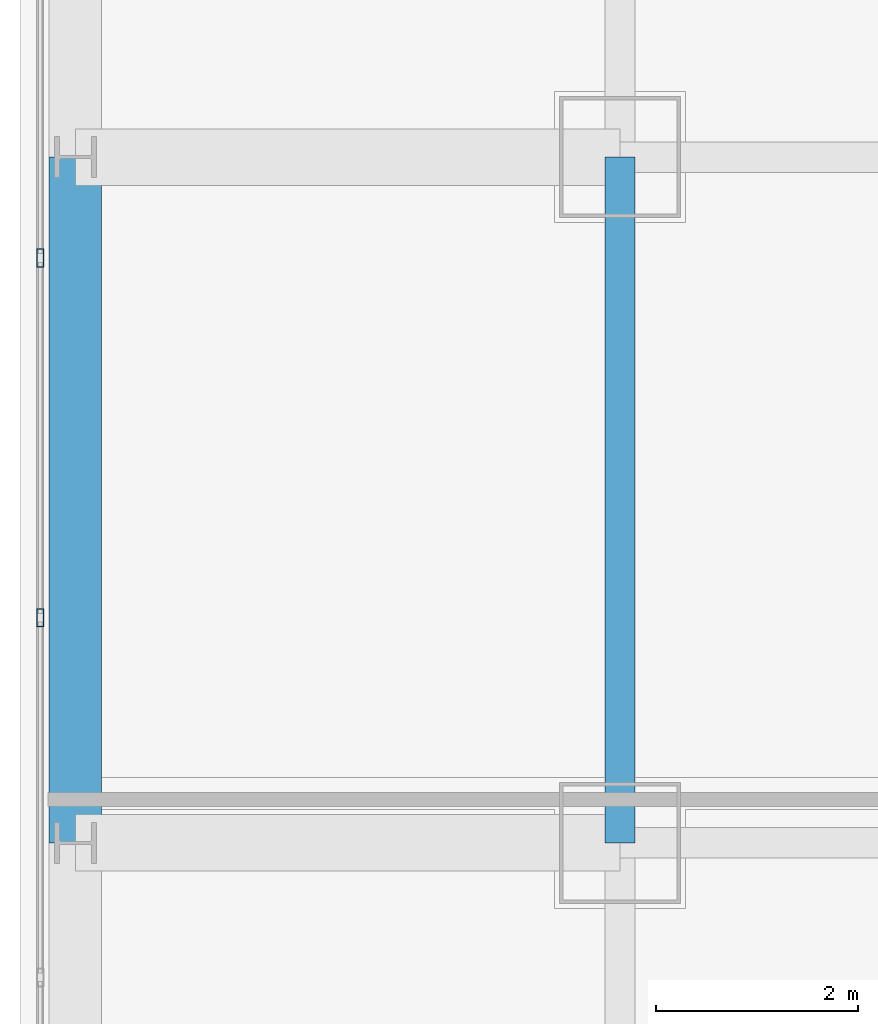
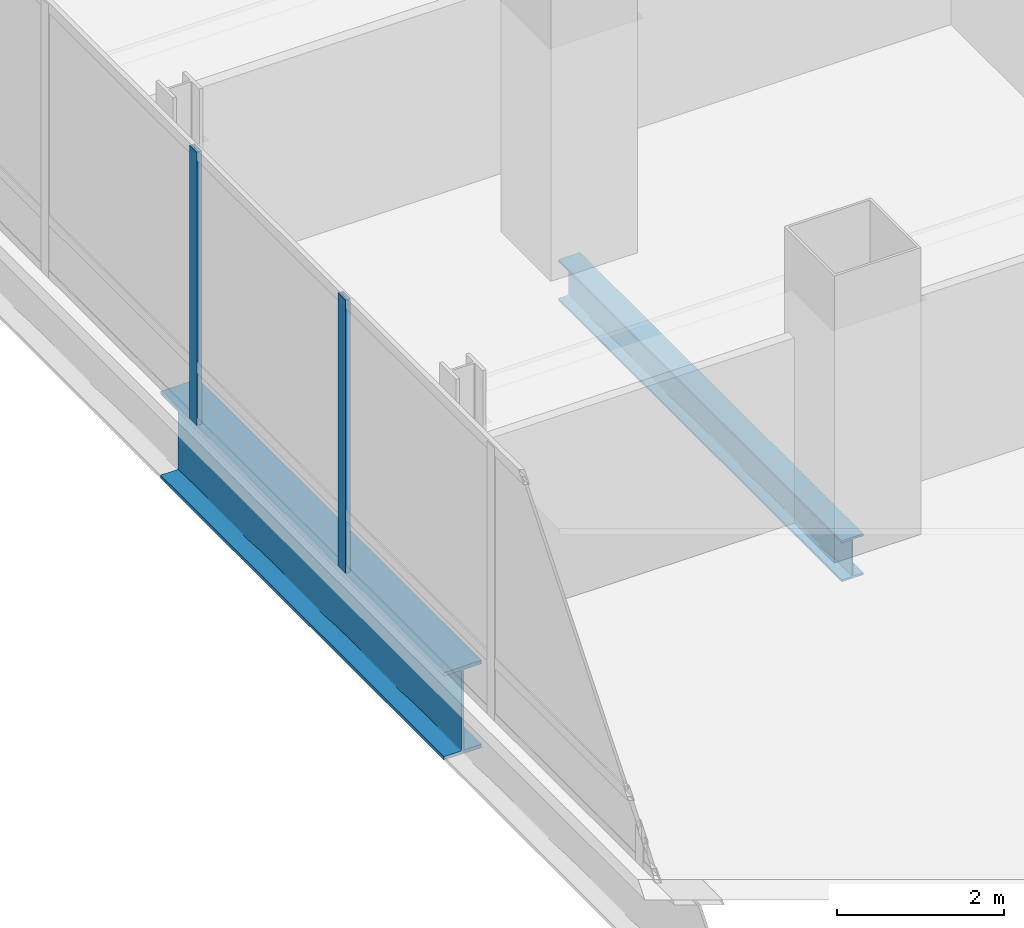
# One storey, part 11 of 41: 2 beams, 2 members, 1 element without a shape of its own.
"""IFC4 building model written with IfcOpenShell, lengths in metres."""

from ifc_helpers import new_model, si_unit, direction, frame, origin, origin_2d, place, context, subcontext, project, spatial, hollow_rectangle, i_section, extrude, material, material_profile, profile_set, type_object, element, aggregate, save


model = new_model("IFC4")

# Units and contexts
model_context = context("Model", 3, precision=1e-05, world=origin(), true_north=direction((0.0, 1.0)))
body_context = subcontext(model_context, "Body", "Model", "MODEL_VIEW")
ifc_project = project(units=[si_unit("LENGTHUNIT", "METRE"), si_unit("AREAUNIT", "SQUARE_METRE"), si_unit("VOLUMEUNIT", "CUBIC_METRE"), si_unit("PLANEANGLEUNIT", "RADIAN"), si_unit("MASSUNIT", "GRAM", prefix="KILO")], contexts=[model_context])

# Site, building, storey
site_placement = place(None, origin())
site = spatial("IfcSite", under=ifc_project, at=site_placement, CompositionType="ELEMENT")
building_placement = place(site_placement, origin())
building = spatial("IfcBuilding", under=site, at=building_placement, Name="Punatoya Terracotta Tower", CompositionType="ELEMENT")
storey_placement = place(building_placement, frame((0.0, 0.0, 292.199951171875)))
storey = spatial("IfcBuildingStorey", under=building, at=storey_placement, Name="L69", CompositionType="ELEMENT", Elevation=292.199951171875)

# Beams
ifc_material_1 = material(Name="Steel S355", Category="steel")
ifc_material_profile_1 = material_profile(ifc_material_1, i_section(OverallWidth=0.300048828125, OverallDepth=0.60009765625, WebThickness=0.015380859375, FlangeThickness=0.030029296875, FilletRadius=0.01806640625, at=origin_2d()))
ifc_profile_set_1 = profile_set([ifc_material_profile_1], Name="Steel S355")
beam_type_1 = type_object("IfcBeamType", Name="BM-PRI-600", PredefinedType="BEAM", material=ifc_profile_set_1)
beam_1_placement = place(storey_placement, frame((-19.10009765625, -3.39990234375, -0.5), z_axis=(0.0, 1.0, 0.0), x_axis=(-1.0, 0.0, 0.0)))
element("IfcBeam", 1, at=beam_1_placement, inside=storey, type_object=beam_type_1, Name="BM-L69-RG-W2", PredefinedType="BEAM", context=body_context, shape_type="SweptSolid", body=[
    extrude(i_section(OverallWidth=0.300048828125, OverallDepth=0.60009765625, WebThickness=0.015380859375, FlangeThickness=0.030029296875, FilletRadius=0.01806640625, at=origin_2d()), origin(), (0.0, 0.0, 1.0), 6.7998046875),
])
ifc_material_2 = material(Name="Steel S460", Category="steel")
ifc_material_profile_2 = material_profile(ifc_material_2, i_section(OverallWidth=0.52001953125, OverallDepth=1.280029296875, WebThickness=0.031982421875, FlangeThickness=0.050048828125, FilletRadius=0.01806640625, at=origin_2d()))
ifc_profile_set_2 = profile_set([ifc_material_profile_2], Name="Steel S460")
beam_type_2 = type_object("IfcBeamType", Name="BM-TG-NCK", PredefinedType="BEAM", material=ifc_profile_set_2)
beam_2_placement = place(storey_placement, frame((-24.5, -3.39990234375, -0.83984375), z_axis=(0.0, 1.0, 0.0), x_axis=(-1.0, 0.0, 0.0)))
element("IfcBeam", 2, at=beam_2_placement, inside=storey, type_object=beam_type_2, Name="BM-L69-PER-W2", PredefinedType="BEAM", context=body_context, shape_type="SweptSolid", body=[
    extrude(i_section(OverallWidth=0.52001953125, OverallDepth=1.280029296875, WebThickness=0.031982421875, FlangeThickness=0.050048828125, FilletRadius=0.01806640625, at=origin_2d()), origin(), (0.0, 0.0, 1.0), 6.7998046875),
])

# Curtain wall, members
ifc_material_3 = material(Name="Aluminium 6063-T6 + Double Low-E Glass", Category="aluminium")
curtain_wall_type = type_object("IfcCurtainWallType", Name="CW-M3", PredefinedType="NOTDEFINED", material=ifc_material_3)
curtain_wall_placement = place(storey_placement, origin())
curtain_wall = element("IfcCurtainWall", 3, at=curtain_wall_placement, inside=storey, type_object=curtain_wall_type, Name="L69 Curtain Wall CW-L69-W13-1", PredefinedType="NOTDEFINED")
ifc_material_4 = material(Name="Aluminium 6063-T6", Category="aluminium")
ifc_material_profile_3 = material_profile(ifc_material_4, hollow_rectangle(XDim=0.070068359375, YDim=0.179931640625, WallThickness=0.00390625, at=origin_2d()))
ifc_profile_set_3 = profile_set([ifc_material_profile_3], Name="Aluminium 6063-T6")
member_type = type_object("IfcMemberType", Name="CW-MUL-M3", PredefinedType="MULLION", material=ifc_profile_set_3)
member_1_placement = place(storey_placement, frame((-24.85009765625, 2.39990234375, 0.0), z_axis=(0.0, 0.0, 1.0), x_axis=(1.0, 0.0, 0.0)))
member_1 = element("IfcMember", 4, at=member_1_placement, type_object=member_type, Name="CW-L69-W13-1 Mullion 05", PredefinedType="MULLION", context=body_context, shape_type="SweptSolid", body=[
    extrude(hollow_rectangle(XDim=0.070068359375, YDim=0.179931640625, WallThickness=0.00390625, at=origin_2d()), origin(), (0.0, 0.0, 1.0), 4.0),
])
member_2_placement = place(storey_placement, frame((-24.85009765625, -1.16748046875, 0.0), z_axis=(0.0, 0.0, 1.0), x_axis=(1.0, 0.0, 0.0)))
member_2 = element("IfcMember", 5, at=member_2_placement, type_object=member_type, Name="CW-L69-W13-1 Mullion 06", PredefinedType="MULLION", context=body_context, shape_type="SweptSolid", body=[
    extrude(hollow_rectangle(XDim=0.070068359375, YDim=0.179931640625, WallThickness=0.00390625, at=origin_2d()), origin(), (0.0, 0.0, 1.0), 4.0),
])
aggregate(curtain_wall, [member_1, member_2])

save(model, "model.ifc")
